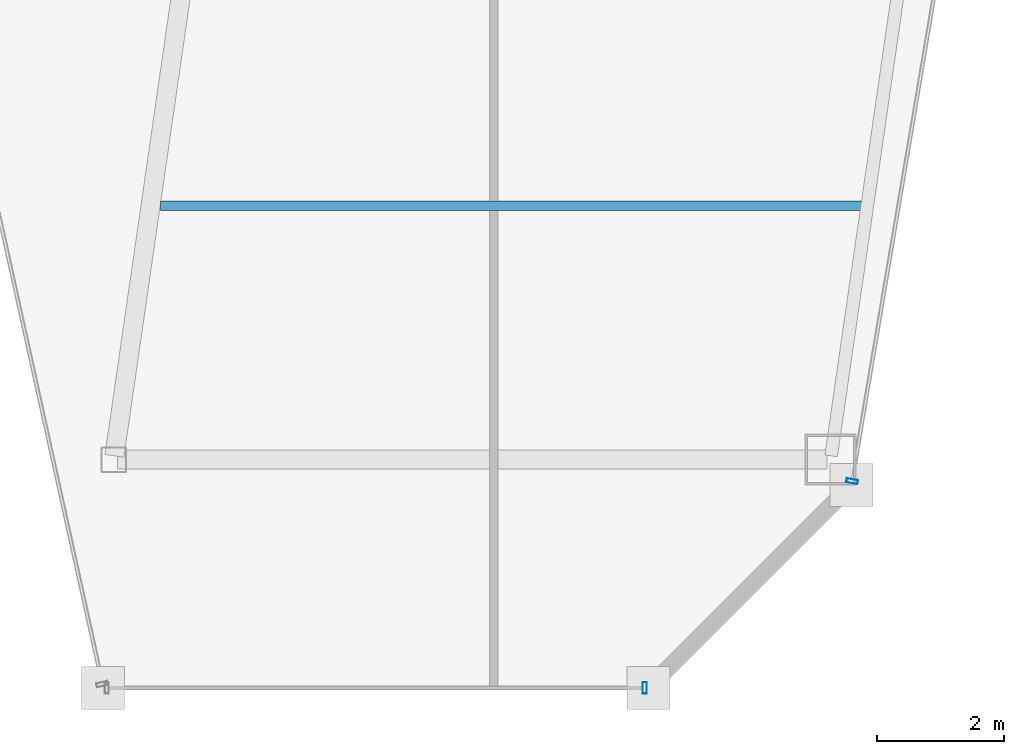
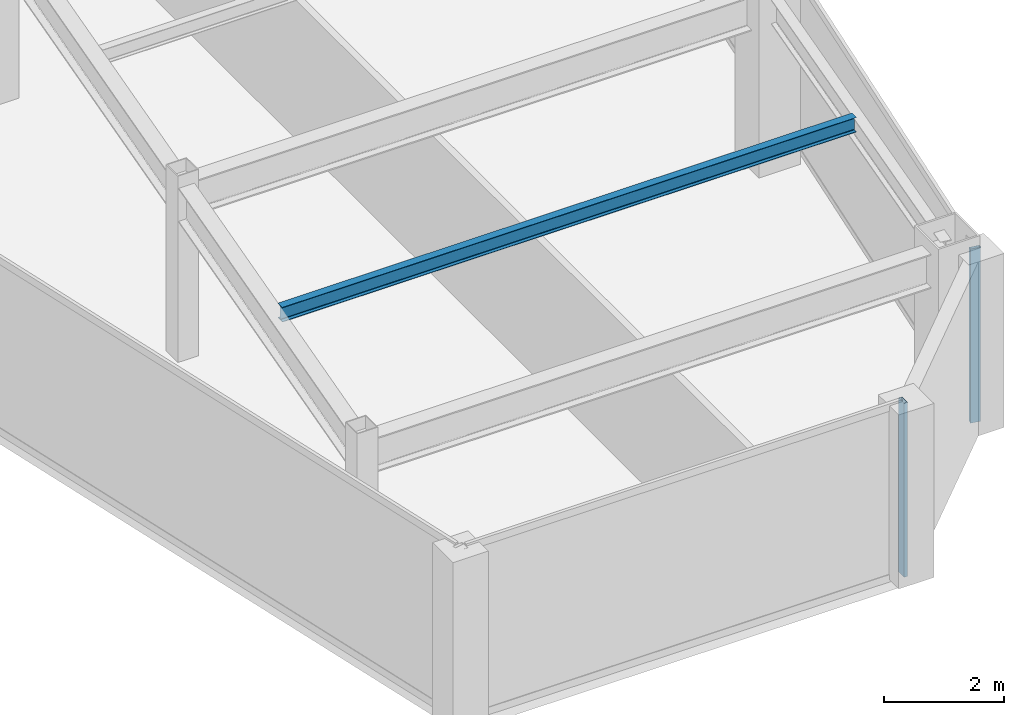
# One storey, part 18 of 35: 2 members, 1 beam, 2 elements without a shape of their own.
"""IFC4 building model written with IfcOpenShell, lengths in metres."""

from ifc_helpers import new_model, si_unit, direction, frame, origin, origin_2d, place, context, subcontext, project, spatial, hollow_rectangle, i_section, extrude, material, material_profile, profile_set, type_object, element, aggregate, save


model = new_model("IFC4")

# Units and contexts
model_context = context("Model", 3, precision=1e-05, world=origin(), true_north=direction((0.0, 1.0)))
body_context = subcontext(model_context, "Body", "Model", "MODEL_VIEW")
ifc_project = project(units=[si_unit("LENGTHUNIT", "METRE"), si_unit("AREAUNIT", "SQUARE_METRE"), si_unit("VOLUMEUNIT", "CUBIC_METRE"), si_unit("PLANEANGLEUNIT", "RADIAN"), si_unit("MASSUNIT", "GRAM", prefix="KILO")], contexts=[model_context])

# Site, building, storey
site_placement = place(None, origin())
site = spatial("IfcSite", under=ifc_project, at=site_placement, CompositionType="ELEMENT")
building_placement = place(site_placement, origin())
building = spatial("IfcBuilding", under=site, at=building_placement, Name="Saevonmaru Cultural Tower", CompositionType="ELEMENT")
storey_placement = place(building_placement, frame((0.0, 0.0, 217.0)))
storey = spatial("IfcBuildingStorey", under=building, at=storey_placement, Name="L50", CompositionType="ELEMENT", Elevation=217.0)

# Beam
ifc_material_1 = material(Name="Steel SM355", Category="steel")
ifc_material_profile_1 = material_profile(ifc_material_1, i_section(OverallWidth=0.14990234375, OverallDepth=0.300048828125, WebThickness=0.006591796875, FlangeThickness=0.009033203125, FilletRadius=0.012939453125, at=origin_2d()), Name="H-300x150x6.5x9")
ifc_profile_set_1 = profile_set([ifc_material_profile_1], Name="Steel SM355")
beam_type = type_object("IfcBeamType", Name="BM-J-H300", PredefinedType="JOIST", material=ifc_profile_set_1)
beam_placement = place(storey_placement, frame((38.80810546875, 20.0, 3.39990234375), z_axis=(1.0, 0.0, 0.0), x_axis=(0.0, 1.0, 0.0)))
element("IfcBeam", 1, at=beam_placement, inside=storey, type_object=beam_type, Name="L50 East Wing Floor Joist 1", PredefinedType="JOIST", context=body_context, shape_type="SweptSolid", body=[
    extrude(i_section(OverallWidth=0.14990234375, OverallDepth=0.300048828125, WebThickness=0.006591796875, FlangeThickness=0.009033203125, FilletRadius=0.012939453125, at=origin_2d()), origin(), (0.0, 0.0, 1.0), 11.081787109375),
])

# Curtain wall, member
ifc_material_2 = material(Name="Satin Bronze Anodised Aluminium", Category="aluminium")
curtain_wall_type = type_object("IfcCurtainWallType", Name="CW-TYP-B", PredefinedType="NOTDEFINED", material=ifc_material_2)
curtain_wall_1_placement = place(storey_placement, origin())
curtain_wall_1 = element("IfcCurtainWall", 2, at=curtain_wall_1_placement, inside=storey, type_object=curtain_wall_type, Name="L50 Unitised Curtain Wall E6", PredefinedType="NOTDEFINED")
ifc_material_profile_2 = material_profile(ifc_material_2, hollow_rectangle(XDim=0.06494140625, YDim=0.179931640625, WallThickness=0.00390625, at=origin_2d()), Name="ALU-MULL-180x65x4")
ifc_profile_set_2 = profile_set([ifc_material_profile_2], Name="Satin Bronze Anodised Aluminium")
member_type = type_object("IfcMemberType", Name="ML-CW-180x65", PredefinedType="MULLION", material=ifc_profile_set_2)
member_1_placement = place(storey_placement, frame((46.442138671875, 12.39990234375, 0.0), z_axis=(0.0, 0.0, 1.0), x_axis=(1.0, 0.0, 0.0)))
member_1 = element("IfcMember", 3, at=member_1_placement, type_object=member_type, Name="CW-TW-L50-E6 mullion 2", PredefinedType="MULLION", context=body_context, shape_type="SweptSolid", body=[
    extrude(hollow_rectangle(XDim=0.06494140625, YDim=0.179931640625, WallThickness=0.00390625, at=origin_2d()), origin(), (0.0, 0.0, 1.0), 3.550048828125),
])
aggregate(curtain_wall_1, [member_1])

curtain_wall_2_placement = place(storey_placement, origin())
curtain_wall_2 = element("IfcCurtainWall", 4, at=curtain_wall_2_placement, inside=storey, type_object=curtain_wall_type, Name="L50 Unitised Curtain Wall E8", PredefinedType="NOTDEFINED")
member_2_placement = place(storey_placement, frame((49.712158203125, 15.6591796875, 0.0), z_axis=(0.0, 0.0, 1.0), x_axis=(0.16692169721, 0.985970155228, 0.0)))
member_2 = element("IfcMember", 5, at=member_2_placement, type_object=member_type, Name="CW-TW-L50-E8 mullion 1", PredefinedType="MULLION", context=body_context, shape_type="SweptSolid", body=[
    extrude(hollow_rectangle(XDim=0.06494140625, YDim=0.179931640625, WallThickness=0.00390625, at=origin_2d()), origin(), (0.0, 0.0, 1.0), 3.550048828125),
])
aggregate(curtain_wall_2, [member_2])

save(model, "model.ifc")
